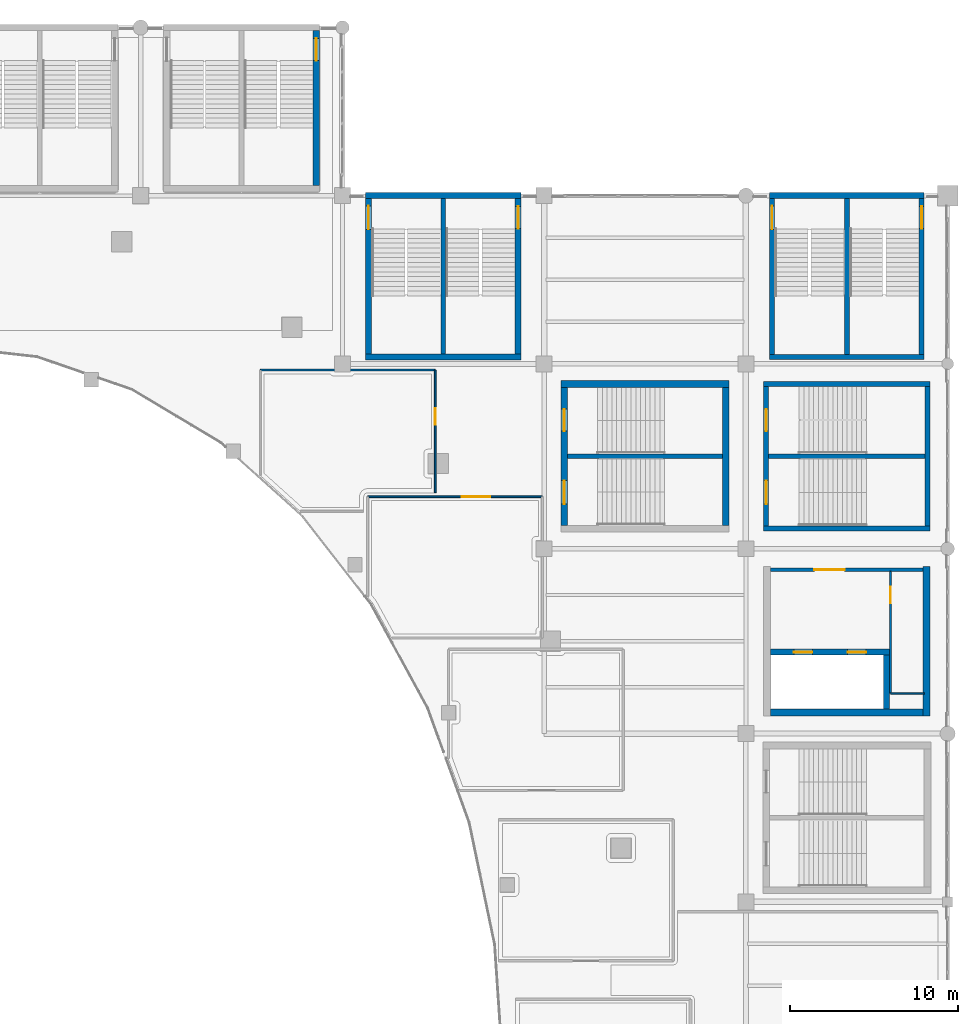
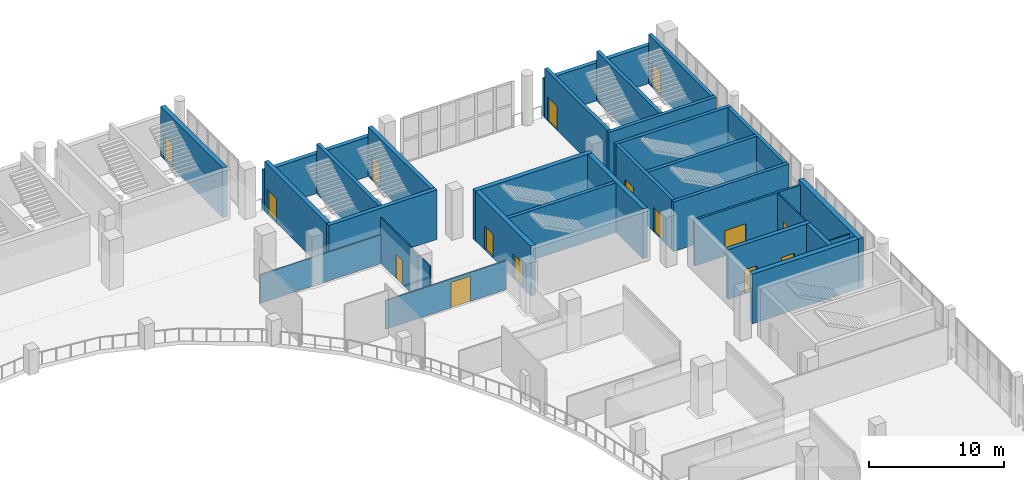
# One storey, part 68 of 90: 30 walls, 15 doors, 15 openings.
"""IFC4 building model written with IfcOpenShell, lengths in metres."""

from ifc_helpers import new_model, si_unit, direction, frame, frame_2d, origin, place, context, subcontext, project, spatial, rectangle, extrude, material, layer, layer_set, type_object, element, fill, save


model = new_model("IFC4")

# Units and contexts
model_context = context("Model", 3, precision=1e-05, world=origin(), true_north=direction((0.0, 1.0)))
body_context = subcontext(model_context, "Body", "Model", "MODEL_VIEW")
ifc_project = project(units=[si_unit("LENGTHUNIT", "METRE"), si_unit("AREAUNIT", "SQUARE_METRE"), si_unit("VOLUMEUNIT", "CUBIC_METRE"), si_unit("PLANEANGLEUNIT", "RADIAN"), si_unit("MASSUNIT", "GRAM", prefix="KILO")], contexts=[model_context])

# Site, building, storey
site_placement = place(None, origin())
site = spatial("IfcSite", under=ifc_project, at=site_placement, CompositionType="ELEMENT")
building_placement = place(site_placement, origin())
building = spatial("IfcBuilding", under=site, at=building_placement, Name="Brinegate Civic Arena", CompositionType="ELEMENT")
storey_placement = place(building_placement, frame((0.0, 0.0, 14.699951171875)))
storey = spatial("IfcBuildingStorey", under=building, at=storey_placement, Name="L03", CompositionType="ELEMENT", Elevation=14.699951171875)

# Wall
ifc_material_1 = material(Name="Concrete C50/60", Category="concrete")
ifc_layer_1 = layer(ifc_material_1, 0.35009765625, Name="Concrete C50/60")
ifc_layer_set_1 = layer_set([ifc_layer_1], Name="Concrete C50/60")
wall_type_1 = type_object("IfcWallType", Name="WALL-CORE-SHEAR-350", PredefinedType="SHEAR", material=ifc_layer_set_1)
wall_1_placement = place(storey_placement, frame((133.375, 104.39990234375, 0.0), z_axis=(0.0, 0.0, 1.0), x_axis=(1.0, 0.0, 0.0)))
element("IfcWall", 1, at=wall_1_placement, inside=storey, type_object=wall_type_1, Name="Stair ST-13 South Shear Wall L03 (WBE-45)", PredefinedType="SHEAR", context=body_context, shape_type="SweptSolid", body=[
    extrude(rectangle(XDim=9.25, YDim=0.35009765625, at=frame_2d((4.625, 0.0))), origin(), (0.0, 0.0, 1.0), 4.5),
])

# Wall, opening, door
wall_2_placement = place(storey_placement, frame((133.550048828125, 104.574951171875, 0.0), z_axis=(0.0, 0.0, 1.0), x_axis=(0.0, 1.0, 0.0)))
wall_2 = element("IfcWall", 2, at=wall_2_placement, inside=storey, type_object=wall_type_1, Name="Stair ST-13 West Shear Wall L03 (WBE-47)", PredefinedType="SHEAR", context=body_context, shape_type="SweptSolid", body=[
    extrude(rectangle(XDim=9.25, YDim=0.35009765625, at=frame_2d((4.625, 0.0))), origin(), (0.0, 0.0, 1.0), 4.5),
])
opening_1_placement = place(wall_2_placement, frame((7.425048828125, 0.0, 0.0)))
opening_1 = element("IfcOpeningElement", 3, at=opening_1_placement, cuts=wall_2, Name="Opening D-ST13A-L03", PredefinedType="OPENING", context=body_context, shape_type="SweptSolid", body=[
    extrude(rectangle(XDim=1.39990234375, YDim=2.199951171875, at=frame_2d((0.699951171875, 1.10009765625))), frame((0.0, 0.18505859375, 0.0), z_axis=(0.0, -1.0, 0.0), x_axis=(1.0, 0.0, 0.0)), (0.0, 0.0, 1.0), 0.3701171875),
])
ifc_material_2 = material(Name="Galvanized hurricane steel", Category="steel")
door_type_1 = type_object("IfcDoorType", Name="DOOR-STAIR-2400X2200", OperationType="NOTDEFINED", PredefinedType="DOOR", material=ifc_material_2)
door_1_placement = place(opening_1_placement, frame((1.39990234375, 0.0, 0.0), z_axis=(0.0, 0.0, 1.0), x_axis=(-1.0, 0.0, 0.0)))
door_1 = element("IfcDoor", 4, at=door_1_placement, inside=storey, type_object=door_type_1, Name="Protected Exit Stair Door D-ST13A-L03", OperationType="DOUBLE_DOOR_SINGLE_SWING", OverallHeight=2.199951171875, OverallWidth=1.39990234375, PredefinedType="DOOR", context=body_context, shape_type="SweptSolid", body=[
    extrude(rectangle(XDim=1.39990234375, YDim=2.199951171875, at=frame_2d((0.699951171875, 1.10009765625))), frame((0.0, 0.02490234375, 0.0), z_axis=(0.0, -1.0, 0.0), x_axis=(1.0, 0.0, 0.0)), (0.0, 0.0, 1.0), 0.050048828125),
])
fill(opening_1, door_1)

wall_3_placement = place(storey_placement, frame((142.449951171875, 104.574951171875, 0.0), z_axis=(0.0, 0.0, 1.0), x_axis=(0.0, 1.0, 0.0)))
wall_3 = element("IfcWall", 5, at=wall_3_placement, inside=storey, type_object=wall_type_1, Name="Stair ST-13 East Shear Wall L03 (WBE-48)", PredefinedType="SHEAR", context=body_context, shape_type="SweptSolid", body=[
    extrude(rectangle(XDim=9.25, YDim=0.35009765625, at=frame_2d((4.625, 0.0))), origin(), (0.0, 0.0, 1.0), 4.5),
])
opening_2_placement = place(wall_3_placement, frame((7.465087890625, 0.0, 0.0)))
opening_2 = element("IfcOpeningElement", 6, at=opening_2_placement, cuts=wall_3, Name="Opening D-ST13B-L03", PredefinedType="OPENING", context=body_context, shape_type="SweptSolid", body=[
    extrude(rectangle(XDim=1.320068359375, YDim=2.199951171875, at=frame_2d((0.66015625, 1.10009765625))), frame((0.0, 0.18505859375, 0.0), z_axis=(0.0, -1.0, 0.0), x_axis=(1.0, 0.0, 0.0)), (0.0, 0.0, 1.0), 0.3701171875),
])
door_type_2 = type_object("IfcDoorType", Name="DOOR-STAIR-2200X2200", OperationType="NOTDEFINED", PredefinedType="DOOR", material=ifc_material_2)
door_2_placement = place(opening_2_placement, origin())
door_2 = element("IfcDoor", 7, at=door_2_placement, inside=storey, type_object=door_type_2, Name="Protected Exit Stair Door D-ST13B-L03", OperationType="DOUBLE_DOOR_SINGLE_SWING", OverallHeight=2.199951171875, OverallWidth=1.320068359375, PredefinedType="DOOR", context=body_context, shape_type="SweptSolid", body=[
    extrude(rectangle(XDim=1.320068359375, YDim=2.199951171875, at=frame_2d((0.66015625, 1.10009765625))), frame((0.0, 0.02490234375, 0.0), z_axis=(0.0, -1.0, 0.0), x_axis=(1.0, 0.0, 0.0)), (0.0, 0.0, 1.0), 0.050048828125),
])
fill(opening_2, door_2)

# Wall, openings, doors
wall_4_placement = place(storey_placement, frame((157.4599609375, 86.85009765625, 0.0), z_axis=(0.0, 0.0, 1.0), x_axis=(1.0, 0.0, 0.0)))
wall_4 = element("IfcWall", 8, at=wall_4_placement, inside=storey, type_object=wall_type_1, Name="Core K5 Lift Shaft Front Wall L03 (WBH-67)", PredefinedType="SHEAR", context=body_context, shape_type="SweptSolid", body=[
    extrude(rectangle(XDim=7.06494140625, YDim=0.35009765625, at=frame_2d((3.532470703125, 0.0))), origin(), (0.0, 0.0, 1.0), 4.5),
])
opening_3_placement = place(wall_4_placement, frame((1.389892578125, 0.0, 0.0)))
opening_3 = element("IfcOpeningElement", 9, at=opening_3_placement, cuts=wall_4, Name="Opening LD-PL7-L03", PredefinedType="OPENING", context=body_context, shape_type="SweptSolid", body=[
    extrude(rectangle(XDim=1.10009765625, YDim=2.199951171875, at=frame_2d((0.550048828125, 1.10009765625))), frame((0.0, 0.18505859375, 0.0), z_axis=(0.0, -1.0, 0.0), x_axis=(1.0, 0.0, 0.0)), (0.0, 0.0, 1.0), 0.3701171875),
])
opening_4_placement = place(wall_4_placement, frame((4.590087890625, 0.0, 0.0)))
opening_4 = element("IfcOpeningElement", 10, at=opening_4_placement, cuts=wall_4, Name="Opening LD-PL8-L03", PredefinedType="OPENING", context=body_context, shape_type="SweptSolid", body=[
    extrude(rectangle(XDim=1.10009765625, YDim=2.199951171875, at=frame_2d((0.550048828125, 1.10009765625))), frame((0.0, 0.18505859375, 0.0), z_axis=(0.0, -1.0, 0.0), x_axis=(1.0, 0.0, 0.0)), (0.0, 0.0, 1.0), 0.3701171875),
])
ifc_material_3 = material(Name="Architectural stainless steel balustrade", Category="steel")
door_type_3 = type_object("IfcDoorType", Name="DOOR-LIFT-1100X2200", OperationType="SLIDING_TO_LEFT", PredefinedType="DOOR", material=ifc_material_3)
door_3_placement = place(opening_3_placement, origin())
door_3 = element("IfcDoor", 11, at=door_3_placement, inside=storey, type_object=door_type_3, Name="Sliding Lift Landing Door LD-PL7-L03", OperationType="SLIDING_TO_LEFT", OverallHeight=2.199951171875, OverallWidth=1.10009765625, PredefinedType="DOOR", context=body_context, shape_type="SweptSolid", body=[
    extrude(rectangle(XDim=1.10009765625, YDim=2.199951171875, at=frame_2d((0.550048828125, 1.10009765625))), frame((0.0, 0.02490234375, 0.0), z_axis=(0.0, -1.0, 0.0), x_axis=(1.0, 0.0, 0.0)), (0.0, 0.0, 1.0), 0.050048828125),
])
fill(opening_3, door_3)
door_4_placement = place(opening_4_placement, origin())
door_4 = element("IfcDoor", 12, at=door_4_placement, inside=storey, type_object=door_type_3, Name="Sliding Lift Landing Door LD-PL8-L03", OperationType="SLIDING_TO_LEFT", OverallHeight=2.199951171875, OverallWidth=1.10009765625, PredefinedType="DOOR", context=body_context, shape_type="SweptSolid", body=[
    extrude(rectangle(XDim=1.10009765625, YDim=2.199951171875, at=frame_2d((0.550048828125, 1.10009765625))), frame((0.0, 0.02490234375, 0.0), z_axis=(0.0, -1.0, 0.0), x_axis=(1.0, 0.0, 0.0)), (0.0, 0.0, 1.0), 0.050048828125),
])
fill(opening_4, door_4)

# Wall
wall_5_placement = place(storey_placement, frame((164.35009765625, 83.4599609375, 0.0), z_axis=(0.0, 0.0, 1.0), x_axis=(0.0, 1.0, 0.0)))
element("IfcWall", 13, at=wall_5_placement, inside=storey, type_object=wall_type_1, Name="Core K5 Lift Shaft End Wall L03 (WBH-68)", PredefinedType="SHEAR", context=body_context, shape_type="SweptSolid", body=[
    extrude(rectangle(XDim=3.215087890625, YDim=0.35009765625, at=frame_2d((1.607421875, 0.0))), origin(), (0.0, 0.0, 1.0), 4.5),
])

# Wall, opening, door
ifc_layer_2 = layer(ifc_material_1, 0.389892578125, Name="Concrete C50/60")
ifc_layer_set_2 = layer_set([ifc_layer_2], Name="Concrete C50/60")
wall_type_2 = type_object("IfcWallType", Name="WALL-CORE-SHEAR-390", PredefinedType="SHEAR", material=ifc_layer_set_2)
wall_6_placement = place(storey_placement, frame((130.449951171875, 114.594970703125, 0.0), z_axis=(0.0, 0.0, 1.0), x_axis=(0.0, 1.0, 0.0)))
wall_6 = element("IfcWall", 14, at=wall_6_placement, inside=storey, type_object=wall_type_2, Name="Stair ST-03 East Shear Wall L03 (WBB-80)", PredefinedType="SHEAR", context=body_context, shape_type="SweptSolid", body=[
    extrude(rectangle(XDim=9.22998046875, YDim=0.389892578125, at=frame_2d((4.614990234375, 0.0))), origin(), (0.0, 0.0, 1.0), 4.5),
])
opening_5_placement = place(wall_6_placement, frame((7.445068359375, 0.0, 0.0)))
opening_5 = element("IfcOpeningElement", 15, at=opening_5_placement, cuts=wall_6, Name="Opening D-ST03B-L03", PredefinedType="OPENING", context=body_context, shape_type="SweptSolid", body=[
    extrude(rectangle(XDim=1.320068359375, YDim=2.199951171875, at=frame_2d((0.66015625, 1.10009765625))), frame((0.0, 0.204833984375, 0.0), z_axis=(0.0, -1.0, 0.0), x_axis=(1.0, 0.0, 0.0)), (0.0, 0.0, 1.0), 0.409912109375),
])
door_5_placement = place(opening_5_placement, origin())
door_5 = element("IfcDoor", 16, at=door_5_placement, inside=storey, type_object=door_type_2, Name="Protected Exit Stair Door D-ST03B-L03", OperationType="DOUBLE_DOOR_SINGLE_SWING", OverallHeight=2.199951171875, OverallWidth=1.320068359375, PredefinedType="DOOR", context=body_context, shape_type="SweptSolid", body=[
    extrude(rectangle(XDim=1.320068359375, YDim=2.199951171875, at=frame_2d((0.66015625, 1.10009765625))), frame((0.0, 0.02490234375, 0.0), z_axis=(0.0, -1.0, 0.0), x_axis=(1.0, 0.0, 0.0)), (0.0, 0.0, 1.0), 0.050048828125),
])
fill(opening_5, door_5)

# Wall
wall_7_placement = place(storey_placement, frame((145.0048828125, 102.800048828125, 0.0), z_axis=(0.0, 0.0, 1.0), x_axis=(1.0, 0.0, 0.0)))
element("IfcWall", 17, at=wall_7_placement, inside=storey, type_object=wall_type_2, Name="Stair ST-18 North Shear Wall L03 (WBL-17)", PredefinedType="SHEAR", context=body_context, shape_type="SweptSolid", body=[
    extrude(rectangle(XDim=9.990234375, YDim=0.389892578125, at=frame_2d((4.9951171875, 0.0))), origin(), (0.0, 0.0, 1.0), 4.5),
])

# Wall, openings, doors
wall_8_placement = place(storey_placement, frame((145.199951171875, 94.39501953125, 0.0), z_axis=(0.0, 0.0, 1.0), x_axis=(0.0, 1.0, 0.0)))
wall_8 = element("IfcWall", 18, at=wall_8_placement, inside=storey, type_object=wall_type_2, Name="Stair ST-18 West Shear Wall L03 (WBL-18)", PredefinedType="SHEAR", context=body_context, shape_type="SweptSolid", body=[
    extrude(rectangle(XDim=8.2099609375, YDim=0.389892578125, at=frame_2d((4.10498046875, 0.0))), origin(), (0.0, 0.0, 1.0), 4.5),
])
opening_6_placement = place(wall_8_placement, frame((1.2548828125, 0.0, 0.0)))
opening_6 = element("IfcOpeningElement", 19, at=opening_6_placement, cuts=wall_8, Name="Opening D-ST18A-L03", PredefinedType="OPENING", context=body_context, shape_type="SweptSolid", body=[
    extrude(rectangle(XDim=1.39990234375, YDim=2.199951171875, at=frame_2d((0.699951171875, 1.10009765625))), frame((0.0, 0.204833984375, 0.0), z_axis=(0.0, -1.0, 0.0), x_axis=(1.0, 0.0, 0.0)), (0.0, 0.0, 1.0), 0.409912109375),
])
opening_7_placement = place(wall_8_placement, frame((5.594970703125, 0.0, 0.0)))
opening_7 = element("IfcOpeningElement", 20, at=opening_7_placement, cuts=wall_8, Name="Opening D-ST18B-L03", PredefinedType="OPENING", context=body_context, shape_type="SweptSolid", body=[
    extrude(rectangle(XDim=1.320068359375, YDim=2.199951171875, at=frame_2d((0.66015625, 1.10009765625))), frame((0.0, 0.204833984375, 0.0), z_axis=(0.0, -1.0, 0.0), x_axis=(1.0, 0.0, 0.0)), (0.0, 0.0, 1.0), 0.409912109375),
])
door_6_placement = place(opening_7_placement, origin())
door_6 = element("IfcDoor", 21, at=door_6_placement, inside=storey, type_object=door_type_2, Name="Protected Exit Stair Door D-ST18B-L03", OperationType="DOUBLE_DOOR_SINGLE_SWING", OverallHeight=2.199951171875, OverallWidth=1.320068359375, PredefinedType="DOOR", context=body_context, shape_type="SweptSolid", body=[
    extrude(rectangle(XDim=1.320068359375, YDim=2.199951171875, at=frame_2d((0.66015625, 1.10009765625))), frame((0.0, 0.02490234375, 0.0), z_axis=(0.0, -1.0, 0.0), x_axis=(1.0, 0.0, 0.0)), (0.0, 0.0, 1.0), 0.050048828125),
])
fill(opening_7, door_6)
door_7_placement = place(opening_6_placement, origin())
door_7 = element("IfcDoor", 22, at=door_7_placement, inside=storey, type_object=door_type_1, Name="Protected Exit Stair Door D-ST18A-L03", OperationType="DOUBLE_DOOR_SINGLE_SWING", OverallHeight=2.199951171875, OverallWidth=1.39990234375, PredefinedType="DOOR", context=body_context, shape_type="SweptSolid", body=[
    extrude(rectangle(XDim=1.39990234375, YDim=2.199951171875, at=frame_2d((0.699951171875, 1.10009765625))), frame((0.0, 0.02490234375, 0.0), z_axis=(0.0, -1.0, 0.0), x_axis=(1.0, 0.0, 0.0)), (0.0, 0.0, 1.0), 0.050048828125),
])
fill(opening_6, door_7)

# Walls
wall_9_placement = place(storey_placement, frame((154.800048828125, 94.39501953125, 0.0), z_axis=(0.0, 0.0, 1.0), x_axis=(0.0, 1.0, 0.0)))
element("IfcWall", 23, at=wall_9_placement, inside=storey, type_object=wall_type_2, Name="Stair ST-18 East Shear Wall L03 (WBL-19)", PredefinedType="SHEAR", context=body_context, shape_type="SweptSolid", body=[
    extrude(rectangle(XDim=8.2099609375, YDim=0.389892578125, at=frame_2d((4.10498046875, 0.0))), origin(), (0.0, 0.0, 1.0), 4.5),
])
ifc_layer_3 = layer(ifc_material_1, 0.419921875, Name="Concrete C50/60")
ifc_layer_set_3 = layer_set([ifc_layer_3], Name="Concrete C50/60")
wall_type_3 = type_object("IfcWallType", Name="WALL-CORE-SHEAR-420", PredefinedType="SHEAR", material=ifc_layer_set_3)
wall_10_placement = place(storey_placement, frame((166.75, 83.0400390625, 0.0), z_axis=(0.0, 0.0, 1.0), x_axis=(0.0, 1.0, 0.0)))
element("IfcWall", 24, at=wall_10_placement, inside=storey, type_object=wall_type_3, Name="Core K5 East Shear Wall L03 (WBH-65)", PredefinedType="SHEAR", context=body_context, shape_type="SweptSolid", body=[
    extrude(rectangle(XDim=8.919921875, YDim=0.419921875, at=frame_2d((4.4599609375, 0.0))), origin(), (0.0, 0.0, 1.0), 4.5),
])
wall_11_placement = place(storey_placement, frame((157.4599609375, 83.25, 0.0), z_axis=(0.0, 0.0, 1.0), x_axis=(1.0, 0.0, 0.0)))
element("IfcWall", 25, at=wall_11_placement, inside=storey, type_object=wall_type_3, Name="Core K5 South Shear Wall L03 (WBH-66)", PredefinedType="SHEAR", context=body_context, shape_type="SweptSolid", body=[
    extrude(rectangle(XDim=9.080078125, YDim=0.419921875, at=frame_2d((4.5400390625, 0.0))), origin(), (0.0, 0.0, 1.0), 4.5),
])
ifc_layer_4 = layer(ifc_material_1, 0.35009765625, Name="Concrete C50/60")
ifc_layer_set_4 = layer_set([ifc_layer_4], Name="Concrete C50/60")
wall_type_4 = type_object("IfcWallType", Name="WALL-EXT-STAIR-SHEAR-350", PredefinedType="SHEAR", material=ifc_layer_set_4)
wall_12_placement = place(storey_placement, frame((157.405029296875, 114.0, 0.0), z_axis=(0.0, 0.0, 1.0), x_axis=(1.0, 0.0, 0.0)))
element("IfcWall", 26, at=wall_12_placement, inside=storey, type_object=wall_type_4, Name="Stair ST-05 North Shear Wall L03 (WBC-34)", PredefinedType="SHEAR", context=body_context, shape_type="SweptSolid", body=[
    extrude(rectangle(XDim=9.18994140625, YDim=0.35009765625, at=frame_2d((4.594970703125, 0.0))), origin(), (0.0, 0.0, 1.0), 3.447021484375),
])
wall_13_placement = place(storey_placement, frame((133.375, 114.0, 0.0), z_axis=(0.0, 0.0, 1.0), x_axis=(1.0, 0.0, 0.0)))
element("IfcWall", 27, at=wall_13_placement, inside=storey, type_object=wall_type_4, Name="Stair ST-13 North Shear Wall L03 (WBE-46)", PredefinedType="SHEAR", context=body_context, shape_type="SweptSolid", body=[
    extrude(rectangle(XDim=9.25, YDim=0.35009765625, at=frame_2d((4.625, 0.0))), origin(), (0.0, 0.0, 1.0), 3.595947265625),
])

# Wall, opening, door
ifc_material_4 = material(Name="Concrete blockwork masonry", Category="masonry")
ifc_layer_5 = layer(ifc_material_4, 0.18994140625, Name="Concrete blockwork masonry")
ifc_layer_set_5 = layer_set([ifc_layer_5], Name="Concrete blockwork masonry")
wall_type_5 = type_object("IfcWallType", Name="WALL-PART-RATED-190", PredefinedType="PARTITIONING", material=ifc_layer_set_5)
wall_14_placement = place(storey_placement, frame((157.469970703125, 91.75, 0.0), z_axis=(0.0, 0.0, 1.0), x_axis=(1.0, 0.0, 0.0)))
wall_14 = element("IfcWall", 28, at=wall_14_placement, inside=storey, type_object=wall_type_5, Name="Core K5 Concourse Lobby Wall L03 (WBH-69)", PredefinedType="PARTITIONING", context=body_context, shape_type="SweptSolid", body=[
    extrude(rectangle(XDim=9.06005859375, YDim=0.18994140625, at=frame_2d((4.530029296875, 0.0))), origin(), (0.0, 0.0, 1.0), 4.16015625),
])
opening_8_placement = place(wall_14_placement, frame((2.60009765625, 0.0, 0.0)))
opening_8 = element("IfcOpeningElement", 29, at=opening_8_placement, cuts=wall_14, Name="Opening D-K5L-L03", PredefinedType="OPENING", context=body_context, shape_type="SweptSolid", body=[
    extrude(rectangle(XDim=1.800048828125, YDim=2.300048828125, at=frame_2d((0.89990234375, 1.14990234375))), frame((0.0, 0.10498046875, 0.0), z_axis=(0.0, -1.0, 0.0), x_axis=(1.0, 0.0, 0.0)), (0.0, 0.0, 1.0), 0.2099609375),
])
ifc_material_5 = material(Name="Marine grade aluminium", Category="aluminium")
door_type_4 = type_object("IfcDoorType", Name="DOOR-CONC-1800X2300", OperationType="NOTDEFINED", PredefinedType="DOOR", material=ifc_material_5)
door_8_placement = place(opening_8_placement, origin())
door_8 = element("IfcDoor", 30, at=door_8_placement, inside=storey, type_object=door_type_4, Name="Lift Lobby Door D-K5L-L03", OperationType="DOUBLE_DOOR_SINGLE_SWING", OverallHeight=2.300048828125, OverallWidth=1.800048828125, PredefinedType="DOOR", context=body_context, shape_type="SweptSolid", body=[
    extrude(rectangle(XDim=1.800048828125, YDim=2.300048828125, at=frame_2d((0.89990234375, 1.14990234375))), frame((0.0, 0.02490234375, 0.0), z_axis=(0.0, -1.0, 0.0), x_axis=(1.0, 0.0, 0.0)), (0.0, 0.0, 1.0), 0.050048828125),
])
fill(opening_8, door_8)

ifc_material_6 = material(Name="Fire-rated gypsum partition assembly")
ifc_layer_6 = layer(ifc_material_6, 0.114990234375, Name="Fire-rated gypsum partition assembly")
ifc_layer_set_6 = layer_set([ifc_layer_6], Name="Fire-rated gypsum partition assembly")
wall_type_6 = type_object("IfcWallType", Name="WALL-PART-STD-115", PredefinedType="PARTITIONING", material=ifc_layer_set_6)
wall_15_placement = place(storey_placement, frame((133.4970703125, 96.093017578125, 0.0), z_axis=(0.0, 0.0, 1.0), x_axis=(1.0, 0.0, 0.0)))
wall_15 = element("IfcWall", 31, at=wall_15_placement, inside=storey, type_object=wall_type_6, Name="Hospitality Suite L03-08 Partition Wall E7 (WBJ-71)", PredefinedType="PARTITIONING", context=body_context, shape_type="SweptSolid", body=[
    extrude(rectangle(XDim=10.39990234375, YDim=0.114990234375, at=frame_2d((5.199951171875, 0.0))), origin(), (0.0, 0.0, 1.0), 2.60302734375),
])
opening_9_placement = place(wall_15_placement, frame((5.597900390625, 0.0, 0.0)))
opening_9 = element("IfcOpeningElement", 32, at=opening_9_placement, cuts=wall_15, Name="Opening D-L03-199", PredefinedType="OPENING", context=body_context, shape_type="SweptSolid", body=[
    extrude(rectangle(XDim=1.699951171875, YDim=2.300048828125, at=frame_2d((0.85009765625, 1.14990234375))), frame((0.0, 0.0673828125, 0.0), z_axis=(0.0, -1.0, 0.0), x_axis=(1.0, 0.0, 0.0)), (0.0, 0.0, 1.0), 0.135009765625),
])
ifc_material_7 = material(Name="Hardwood acoustic timber door", Category="wood")
door_type_5 = type_object("IfcDoorType", Name="DOOR-SUITE-1700X2300", OperationType="NOTDEFINED", PredefinedType="DOOR", material=ifc_material_7)
door_9_placement = place(opening_9_placement, origin())
door_9 = element("IfcDoor", 33, at=door_9_placement, inside=storey, type_object=door_type_5, Name="Hospitality Suite L03-08 Door D-L03-199", OperationType="DOUBLE_DOOR_SINGLE_SWING", OverallHeight=2.300048828125, OverallWidth=1.699951171875, PredefinedType="DOOR", context=body_context, shape_type="SweptSolid", body=[
    extrude(rectangle(XDim=1.699951171875, YDim=2.300048828125, at=frame_2d((0.85009765625, 1.14990234375))), frame((0.0, 0.02490234375, 0.0), z_axis=(0.0, -1.0, 0.0), x_axis=(1.0, 0.0, 0.0)), (0.0, 0.0, 1.0), 0.050048828125),
])
fill(opening_9, door_9)

ifc_layer_7 = layer(ifc_material_4, 0.10009765625, Name="Concrete blockwork masonry")
ifc_layer_set_7 = layer_set([ifc_layer_7], Name="Concrete blockwork masonry")
wall_type_7 = type_object("IfcWallType", Name="WALL-PART-WET-100", PredefinedType="PARTITIONING", material=ifc_layer_set_7)
wall_16_placement = place(storey_placement, frame((164.60009765625, 84.39990234375, 0.0), z_axis=(0.0, 0.0, 1.0), x_axis=(0.0, 1.0, 0.0)))
wall_16 = element("IfcWall", 34, at=wall_16_placement, inside=storey, type_object=wall_type_7, Name="Accessible WC K5 Partition L03 (WBH-70)", PredefinedType="PARTITIONING", context=body_context, shape_type="SweptSolid", body=[
    extrude(rectangle(XDim=7.25, YDim=0.10009765625, at=frame_2d((3.625, 0.0))), origin(), (0.0, 0.0, 1.0), 4.16015625),
])
opening_10_placement = place(wall_16_placement, frame((5.35009765625, 0.0, 0.0)))
opening_10 = element("IfcOpeningElement", 35, at=opening_10_placement, cuts=wall_16, Name="Opening D-K5W-L03", PredefinedType="OPENING", context=body_context, shape_type="SweptSolid", body=[
    extrude(rectangle(XDim=1.0, YDim=2.10009765625, at=frame_2d((0.5, 1.050048828125))), frame((0.0, 0.06005859375, 0.0), z_axis=(0.0, -1.0, 0.0), x_axis=(1.0, 0.0, 0.0)), (0.0, 0.0, 1.0), 0.1201171875),
])
door_type_6 = type_object("IfcDoorType", Name="DOOR-AWC-1000X2100", OperationType="NOTDEFINED", PredefinedType="DOOR", material=ifc_material_7)
door_10_placement = place(opening_10_placement, origin())
door_10 = element("IfcDoor", 36, at=door_10_placement, inside=storey, type_object=door_type_6, Name="Accessible WC Door D-K5W-L03", OperationType="SINGLE_SWING_LEFT", OverallHeight=2.10009765625, OverallWidth=1.0, PredefinedType="DOOR", context=body_context, shape_type="SweptSolid", body=[
    extrude(rectangle(XDim=1.0, YDim=2.10009765625, at=frame_2d((0.5, 1.050048828125))), frame((0.0, 0.02490234375, 0.0), z_axis=(0.0, -1.0, 0.0), x_axis=(1.0, 0.0, 0.0)), (0.0, 0.0, 1.0), 0.050048828125),
])
fill(opening_10, door_10)

# Wall
wall_17_placement = place(storey_placement, frame((164.60009765625, 84.39990234375, 0.0), z_axis=(0.0, 0.0, 1.0), x_axis=(1.0, 0.0, 0.0)))
element("IfcWall", 37, at=wall_17_placement, inside=storey, type_object=wall_type_7, Name="Accessible WC K5 Back Partition L03 (WBH-71)", PredefinedType="PARTITIONING", context=body_context, shape_type="SweptSolid", body=[
    extrude(rectangle(XDim=2.0, YDim=0.10009765625, at=frame_2d((1.0, 0.0))), origin(), (0.0, 0.0, 1.0), 4.16015625),
])

# Wall, opening, door
wall_18_placement = place(storey_placement, frame((137.51904296875, 103.631103515625, 0.0), z_axis=(0.0, 0.0, 1.0), x_axis=(0.0, -1.0, 0.0)))
wall_18 = element("IfcWall", 38, at=wall_18_placement, inside=storey, type_object=wall_type_7, Name="Hospitality Suite L03-09 Partition Wall E1 (WBJ-72)", PredefinedType="PARTITIONING", context=body_context, shape_type="SweptSolid", body=[
    extrude(rectangle(XDim=7.2880859375, YDim=0.10009765625, at=frame_2d((3.64404296875, 0.0))), origin(), (0.0, 0.0, 1.0), 4.16015625),
])
opening_11_placement = place(wall_18_placement, frame((2.26904296875, 0.0, 0.0)))
opening_11 = element("IfcOpeningElement", 39, at=opening_11_placement, cuts=wall_18, Name="Opening D-L03-200", PredefinedType="OPENING", context=body_context, shape_type="SweptSolid", body=[
    extrude(rectangle(XDim=1.0, YDim=2.199951171875, at=frame_2d((0.5, 1.10009765625))), frame((0.0, 0.06005859375, 0.0), z_axis=(0.0, -1.0, 0.0), x_axis=(1.0, 0.0, 0.0)), (0.0, 0.0, 1.0), 0.1201171875),
])
door_type_7 = type_object("IfcDoorType", Name="DOOR-SUITE-1000X2200", OperationType="NOTDEFINED", PredefinedType="DOOR", material=ifc_material_7)
door_11_placement = place(opening_11_placement, origin())
door_11 = element("IfcDoor", 40, at=door_11_placement, inside=storey, type_object=door_type_7, Name="Hospitality Suite L03-09 Door D-L03-200", OperationType="SINGLE_SWING_RIGHT", OverallHeight=2.199951171875, OverallWidth=1.0, PredefinedType="DOOR", context=body_context, shape_type="SweptSolid", body=[
    extrude(rectangle(XDim=1.0, YDim=2.199951171875, at=frame_2d((0.5, 1.10009765625))), frame((0.0, 0.02490234375, 0.0), z_axis=(0.0, -1.0, 0.0), x_axis=(1.0, 0.0, 0.0)), (0.0, 0.0, 1.0), 0.050048828125),
])
fill(opening_11, door_11)

# Walls
wall_19_placement = place(storey_placement, frame((127.118896484375, 103.631103515625, 0.0), z_axis=(0.0, 0.0, 1.0), x_axis=(1.0, 0.0, 0.0)))
element("IfcWall", 41, at=wall_19_placement, inside=storey, type_object=wall_type_7, Name="Hospitality Suite L03-09 Partition Wall E16 (WBJ-75)", PredefinedType="PARTITIONING", context=body_context, shape_type="SweptSolid", body=[
    extrude(rectangle(XDim=10.400146484375, YDim=0.10009765625, at=frame_2d((5.2001953125, 0.0))), origin(), (0.0, 0.0, 1.0), 2.60302734375),
])
ifc_layer_8 = layer(ifc_material_1, 0.2900390625, Name="Concrete C50/60")
ifc_layer_set_8 = layer_set([ifc_layer_8], Name="Concrete C50/60")
wall_type_8 = type_object("IfcWallType", Name="WALL-STAIR-SHEAR-290", PredefinedType="SHEAR", material=ifc_layer_set_8)
wall_20_placement = place(storey_placement, frame((157.405029296875, 104.39990234375, 0.0), z_axis=(0.0, 0.0, 1.0), x_axis=(1.0, 0.0, 0.0)))
element("IfcWall", 42, at=wall_20_placement, inside=storey, type_object=wall_type_8, Name="Stair ST-05 South Shear Wall L03 (WBC-33)", PredefinedType="SHEAR", context=body_context, shape_type="SweptSolid", body=[
    extrude(rectangle(XDim=9.18994140625, YDim=0.2900390625, at=frame_2d((4.594970703125, 0.0))), origin(), (0.0, 0.0, 1.0), 4.5),
])

# Wall, opening, door
wall_21_placement = place(storey_placement, frame((157.550048828125, 104.544921875, 0.0), z_axis=(0.0, 0.0, 1.0), x_axis=(0.0, 1.0, 0.0)))
wall_21 = element("IfcWall", 43, at=wall_21_placement, inside=storey, type_object=wall_type_8, Name="Stair ST-05 West Shear Wall L03 (WBC-35)", PredefinedType="SHEAR", context=body_context, shape_type="SweptSolid", body=[
    extrude(rectangle(XDim=9.280029296875, YDim=0.2900390625, at=frame_2d((4.64013671875, 0.0))), origin(), (0.0, 0.0, 1.0), 4.5),
])
opening_12_placement = place(wall_21_placement, frame((7.455078125, 0.0, 0.0)))
opening_12 = element("IfcOpeningElement", 44, at=opening_12_placement, cuts=wall_21, Name="Opening D-ST05A-L03", PredefinedType="OPENING", context=body_context, shape_type="SweptSolid", body=[
    extrude(rectangle(XDim=1.39990234375, YDim=2.199951171875, at=frame_2d((0.699951171875, 1.10009765625))), frame((0.0, 0.155029296875, 0.0), z_axis=(0.0, -1.0, 0.0), x_axis=(1.0, 0.0, 0.0)), (0.0, 0.0, 1.0), 0.31005859375),
])
door_12_placement = place(opening_12_placement, frame((1.39990234375, 0.0, 0.0), z_axis=(0.0, 0.0, 1.0), x_axis=(-1.0, 0.0, 0.0)))
door_12 = element("IfcDoor", 45, at=door_12_placement, inside=storey, type_object=door_type_1, Name="Protected Exit Stair Door D-ST05A-L03", OperationType="DOUBLE_DOOR_SINGLE_SWING", OverallHeight=2.199951171875, OverallWidth=1.39990234375, PredefinedType="DOOR", context=body_context, shape_type="SweptSolid", body=[
    extrude(rectangle(XDim=1.39990234375, YDim=2.199951171875, at=frame_2d((0.699951171875, 1.10009765625))), frame((0.0, 0.02490234375, 0.0), z_axis=(0.0, -1.0, 0.0), x_axis=(1.0, 0.0, 0.0)), (0.0, 0.0, 1.0), 0.050048828125),
])
fill(opening_12, door_12)

wall_22_placement = place(storey_placement, frame((166.449951171875, 104.544921875, 0.0), z_axis=(0.0, 0.0, 1.0), x_axis=(0.0, 1.0, 0.0)))
wall_22 = element("IfcWall", 46, at=wall_22_placement, inside=storey, type_object=wall_type_8, Name="Stair ST-05 East Shear Wall L03 (WBC-36)", PredefinedType="SHEAR", context=body_context, shape_type="SweptSolid", body=[
    extrude(rectangle(XDim=9.280029296875, YDim=0.2900390625, at=frame_2d((4.64013671875, 0.0))), origin(), (0.0, 0.0, 1.0), 4.5),
])
opening_13_placement = place(wall_22_placement, frame((7.4951171875, 0.0, 0.0)))
opening_13 = element("IfcOpeningElement", 47, at=opening_13_placement, cuts=wall_22, Name="Opening D-ST05B-L03", PredefinedType="OPENING", context=body_context, shape_type="SweptSolid", body=[
    extrude(rectangle(XDim=1.320068359375, YDim=2.199951171875, at=frame_2d((0.66015625, 1.10009765625))), frame((0.0, 0.155029296875, 0.0), z_axis=(0.0, -1.0, 0.0), x_axis=(1.0, 0.0, 0.0)), (0.0, 0.0, 1.0), 0.31005859375),
])
door_13_placement = place(opening_13_placement, origin())
door_13 = element("IfcDoor", 48, at=door_13_placement, inside=storey, type_object=door_type_2, Name="Protected Exit Stair Door D-ST05B-L03", OperationType="DOUBLE_DOOR_SINGLE_SWING", OverallHeight=2.199951171875, OverallWidth=1.320068359375, PredefinedType="DOOR", context=body_context, shape_type="SweptSolid", body=[
    extrude(rectangle(XDim=1.320068359375, YDim=2.199951171875, at=frame_2d((0.66015625, 1.10009765625))), frame((0.0, 0.02490234375, 0.0), z_axis=(0.0, -1.0, 0.0), x_axis=(1.0, 0.0, 0.0)), (0.0, 0.0, 1.0), 0.050048828125),
])
fill(opening_13, door_13)

# Walls
wall_23_placement = place(storey_placement, frame((162.0, 104.544921875, 0.0), z_axis=(0.0, 0.0, 1.0), x_axis=(0.0, 1.0, 0.0)))
element("IfcWall", 49, at=wall_23_placement, inside=storey, type_object=wall_type_8, Name="Stair ST-05 Central Dividing Shear Wall L03 (WBC-37)", PredefinedType="SHEAR", context=body_context, shape_type="SweptSolid", body=[
    extrude(rectangle(XDim=9.280029296875, YDim=0.2900390625, at=frame_2d((4.64013671875, 0.0))), origin(), (0.0, 0.0, 1.0), 4.5),
])
wall_24_placement = place(storey_placement, frame((138.0, 104.574951171875, 0.0), z_axis=(0.0, 0.0, 1.0), x_axis=(0.0, 1.0, 0.0)))
element("IfcWall", 50, at=wall_24_placement, inside=storey, type_object=wall_type_8, Name="Stair ST-13 Central Dividing Shear Wall L03 (WBE-49)", PredefinedType="SHEAR", context=body_context, shape_type="SweptSolid", body=[
    extrude(rectangle(XDim=9.25, YDim=0.2900390625, at=frame_2d((4.625, 0.0))), origin(), (0.0, 0.0, 1.0), 4.5),
])
wall_25_placement = place(storey_placement, frame((145.39501953125, 98.5, 0.0), z_axis=(0.0, 0.0, 1.0), x_axis=(1.0, 0.0, 0.0)))
element("IfcWall", 51, at=wall_25_placement, inside=storey, type_object=wall_type_8, Name="Stair ST-18 Central Dividing Shear Wall L03 (WBL-20)", PredefinedType="SHEAR", context=body_context, shape_type="SweptSolid", body=[
    extrude(rectangle(XDim=9.2099609375, YDim=0.2900390625, at=frame_2d((4.60498046875, 0.0))), origin(), (0.0, 0.0, 1.0), 4.5),
])
for number, where, z_axis, x_axis, name in (
    (52, (157.054931640625, 94.199951171875, 0.0), (0.0, 0.0, 1.0), (1.0, 0.0, 0.0), "Stair ST-20 South Shear Wall L03 (WBL-66)"),
    (53, (157.054931640625, 102.800048828125, 0.0), (0.0, 0.0, 1.0), (1.0, 0.0, 0.0), "Stair ST-20 North Shear Wall L03 (WBL-67)"),
):
    element("IfcWall", number, at=place(storey_placement, frame(where, z_axis=z_axis, x_axis=x_axis)), inside=storey, type_object=wall_type_8, Name=name, PredefinedType="SHEAR", context=body_context, shape_type="SweptSolid", body=[
        extrude(rectangle(XDim=9.89013671875, YDim=0.2900390625, at=frame_2d((4.945068359375, 0.0))), origin(), (0.0, 0.0, 1.0), 4.5),
    ])

# Wall, openings, doors
wall_26_placement = place(storey_placement, frame((157.199951171875, 94.344970703125, 0.0), z_axis=(0.0, 0.0, 1.0), x_axis=(0.0, 1.0, 0.0)))
wall_26 = element("IfcWall", 54, at=wall_26_placement, inside=storey, type_object=wall_type_8, Name="Stair ST-20 West Shear Wall L03 (WBL-68)", PredefinedType="SHEAR", context=body_context, shape_type="SweptSolid", body=[
    extrude(rectangle(XDim=8.31005859375, YDim=0.2900390625, at=frame_2d((4.155029296875, 0.0))), origin(), (0.0, 0.0, 1.0), 4.5),
])
opening_14_placement = place(wall_26_placement, frame((1.304931640625, 0.0, 0.0)))
opening_14 = element("IfcOpeningElement", 55, at=opening_14_placement, cuts=wall_26, Name="Opening D-ST20A-L03", PredefinedType="OPENING", context=body_context, shape_type="SweptSolid", body=[
    extrude(rectangle(XDim=1.39990234375, YDim=2.199951171875, at=frame_2d((0.699951171875, 1.10009765625))), frame((0.0, 0.155029296875, 0.0), z_axis=(0.0, -1.0, 0.0), x_axis=(1.0, 0.0, 0.0)), (0.0, 0.0, 1.0), 0.31005859375),
])
opening_15_placement = place(wall_26_placement, frame((5.64501953125, 0.0, 0.0)))
opening_15 = element("IfcOpeningElement", 56, at=opening_15_placement, cuts=wall_26, Name="Opening D-ST20B-L03", PredefinedType="OPENING", context=body_context, shape_type="SweptSolid", body=[
    extrude(rectangle(XDim=1.320068359375, YDim=2.199951171875, at=frame_2d((0.66015625, 1.10009765625))), frame((0.0, 0.155029296875, 0.0), z_axis=(0.0, -1.0, 0.0), x_axis=(1.0, 0.0, 0.0)), (0.0, 0.0, 1.0), 0.31005859375),
])
door_14_placement = place(opening_15_placement, origin())
door_14 = element("IfcDoor", 57, at=door_14_placement, inside=storey, type_object=door_type_2, Name="Protected Exit Stair Door D-ST20B-L03", OperationType="DOUBLE_DOOR_SINGLE_SWING", OverallHeight=2.199951171875, OverallWidth=1.320068359375, PredefinedType="DOOR", context=body_context, shape_type="SweptSolid", body=[
    extrude(rectangle(XDim=1.320068359375, YDim=2.199951171875, at=frame_2d((0.66015625, 1.10009765625))), frame((0.0, 0.02490234375, 0.0), z_axis=(0.0, -1.0, 0.0), x_axis=(1.0, 0.0, 0.0)), (0.0, 0.0, 1.0), 0.050048828125),
])
fill(opening_15, door_14)
door_15_placement = place(opening_14_placement, origin())
door_15 = element("IfcDoor", 58, at=door_15_placement, inside=storey, type_object=door_type_1, Name="Protected Exit Stair Door D-ST20A-L03", OperationType="DOUBLE_DOOR_SINGLE_SWING", OverallHeight=2.199951171875, OverallWidth=1.39990234375, PredefinedType="DOOR", context=body_context, shape_type="SweptSolid", body=[
    extrude(rectangle(XDim=1.39990234375, YDim=2.199951171875, at=frame_2d((0.699951171875, 1.10009765625))), frame((0.0, 0.02490234375, 0.0), z_axis=(0.0, -1.0, 0.0), x_axis=(1.0, 0.0, 0.0)), (0.0, 0.0, 1.0), 0.050048828125),
])
fill(opening_14, door_15)

# Walls
wall_27_placement = place(storey_placement, frame((166.800048828125, 94.344970703125, 0.0), z_axis=(0.0, 0.0, 1.0), x_axis=(0.0, 1.0, 0.0)))
element("IfcWall", 59, at=wall_27_placement, inside=storey, type_object=wall_type_8, Name="Stair ST-20 East Shear Wall L03 (WBL-69)", PredefinedType="SHEAR", context=body_context, shape_type="SweptSolid", body=[
    extrude(rectangle(XDim=8.31005859375, YDim=0.2900390625, at=frame_2d((4.155029296875, 0.0))), origin(), (0.0, 0.0, 1.0), 4.5),
])
wall_28_placement = place(storey_placement, frame((157.344970703125, 98.5, 0.0), z_axis=(0.0, 0.0, 1.0), x_axis=(1.0, 0.0, 0.0)))
element("IfcWall", 60, at=wall_28_placement, inside=storey, type_object=wall_type_8, Name="Stair ST-20 Central Dividing Shear Wall L03 (WBL-70)", PredefinedType="SHEAR", context=body_context, shape_type="SweptSolid", body=[
    extrude(rectangle(XDim=9.31005859375, YDim=0.2900390625, at=frame_2d((4.655029296875, 0.0))), origin(), (0.0, 0.0, 1.0), 4.5),
])

save(model, "model.ifc")
